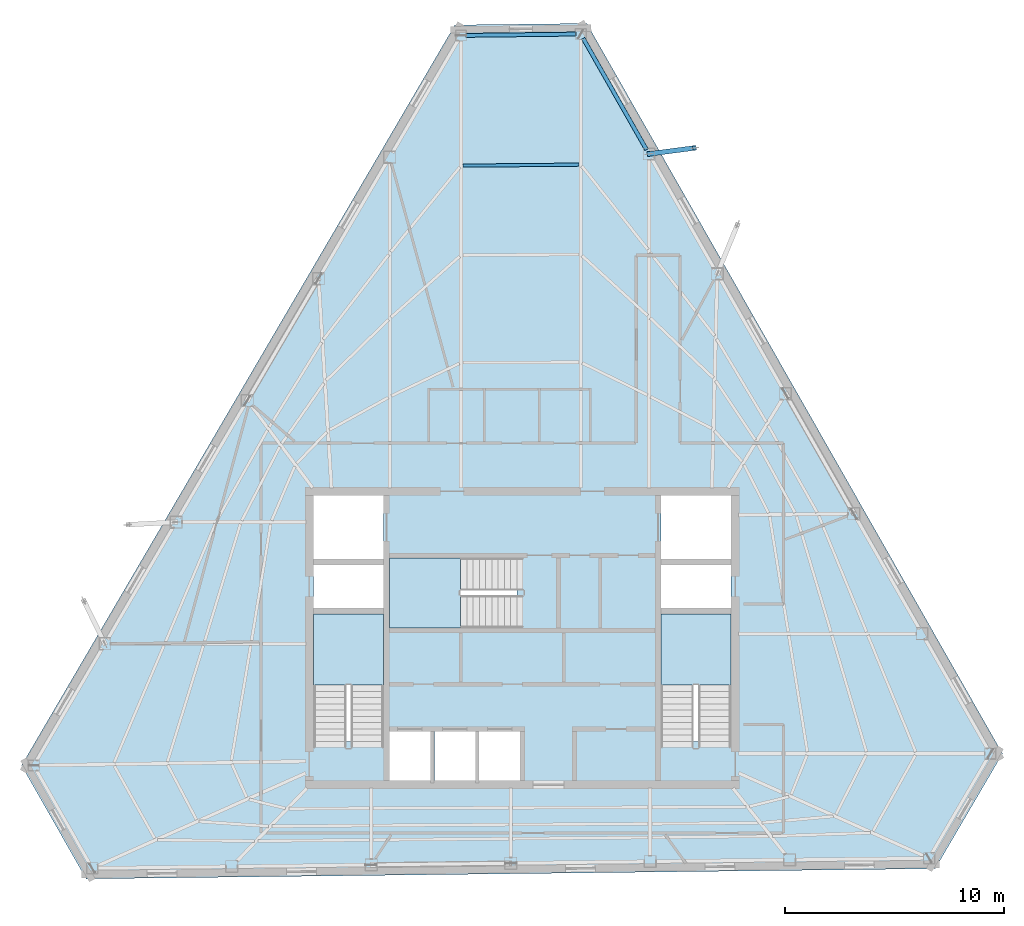
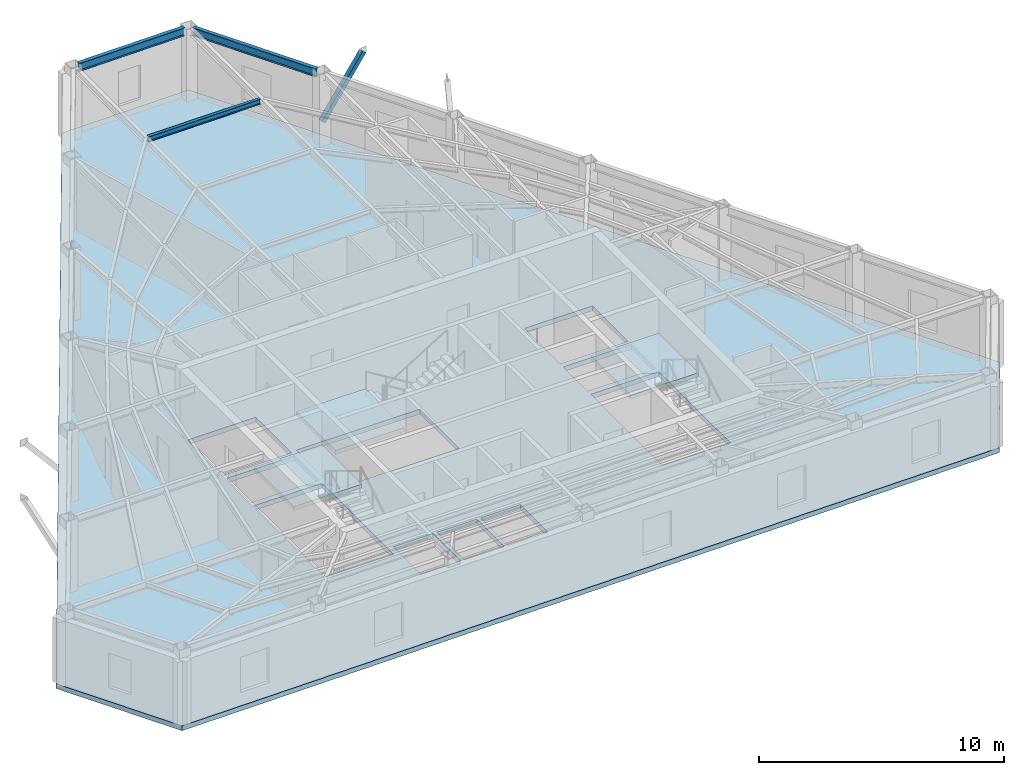
# One storey, part 3 of 10: 4 slabs, 3 beams, 1 member, 3 elements without a shape of their own.
"""IFC4 building model written with IfcOpenShell, lengths in metres."""

from ifc_helpers import new_model, si_unit, direction, frame, origin, origin_2d, place, context, subcontext, project, spatial, polyline, hollow_rectangle, i_section, outline, extrude, material, layer, layer_set, material_profile, profile_set, type_object, element, aggregate, save


model = new_model("IFC4")

# Units and contexts
model_context = context("Model", 3, precision=1e-05, world=origin(), true_north=direction((0.0, 1.0)))
body_context = subcontext(model_context, "Body", "Model", "MODEL_VIEW")
ifc_project = project(units=[si_unit("LENGTHUNIT", "METRE"), si_unit("AREAUNIT", "SQUARE_METRE"), si_unit("VOLUMEUNIT", "CUBIC_METRE"), si_unit("PLANEANGLEUNIT", "RADIAN"), si_unit("MASSUNIT", "GRAM", prefix="KILO")], contexts=[model_context])

# Site, building, storey
site_placement = place(None, origin())
site = spatial("IfcSite", under=ifc_project, at=site_placement, CompositionType="ELEMENT")
building_placement = place(site_placement, origin())
building = spatial("IfcBuilding", under=site, at=building_placement, Name="Kavelnor Concourse Tower", CompositionType="ELEMENT")
storey_placement = place(building_placement, frame((0.0, 0.0, 289.550048828125)))
storey = spatial("IfcBuildingStorey", under=building, at=storey_placement, Name="L73", CompositionType="ELEMENT", Elevation=289.550048828125)

# Beams
ifc_material_1 = material(Name="Steel Grade 350", Category="steel")
ifc_material_profile_1 = material_profile(ifc_material_1, i_section(OverallWidth=0.14599609375, OverallDepth=0.256103515625, WebThickness=0.00634765625, FlangeThickness=0.010986328125, at=origin_2d()), Name="250UB37")
ifc_profile_set_1 = profile_set([ifc_material_profile_1], Name="Steel Grade 350")
beam_type_1 = type_object("IfcBeamType", Name="BM-JOIST-250", PredefinedType="JOIST", material=ifc_profile_set_1)
beam_1_placement = place(storey_placement, frame((40.585693359375, 37.685546875, 3.48193359375), z_axis=(-0.999962850776, -0.008619574679, 0.0), x_axis=(0.008619574679, -0.999962850776, 0.0)))
element("IfcBeam", 1, at=beam_1_placement, inside=storey, type_object=beam_type_1, Name="L73 Secondary Composite Joist 16-3", PredefinedType="JOIST", context=body_context, shape_type="SweptSolid", body=[
    extrude(i_section(OverallWidth=0.14599609375, OverallDepth=0.256103515625, WebThickness=0.00634765625, FlangeThickness=0.010986328125, at=origin_2d()), origin(), (0.0, 0.0, 1.0), 5.296630859375),
])
ifc_material_profile_2 = material_profile(ifc_material_1, i_section(OverallWidth=0.177978515625, OverallDepth=0.406005859375, WebThickness=0.0078125, FlangeThickness=0.0126953125, at=origin_2d()), Name="410UB59")
ifc_profile_set_2 = profile_set([ifc_material_profile_2], Name="Steel Grade 350")
beam_type_2 = type_object("IfcBeamType", Name="BM-SPANDREL-Z4", PredefinedType="SPANDREL", material=ifc_profile_set_2)
beam_2_placement = place(storey_placement, frame((40.442626953125, 43.63818359375, 3.406982421875), z_axis=(-0.99992816203, -0.011986274625, 0.0), x_axis=(0.011986274625, -0.99992816203, 0.0)))
element("IfcBeam", 2, at=beam_2_placement, inside=storey, type_object=beam_type_2, Name="L73 Chamfer Facet Spandrel Beam C0", PredefinedType="SPANDREL", context=body_context, shape_type="SweptSolid", body=[
    extrude(i_section(OverallWidth=0.177978515625, OverallDepth=0.406005859375, WebThickness=0.0078125, FlangeThickness=0.0126953125, at=origin_2d()), origin(), (0.0, 0.0, 1.0), 5.010498046875),
])
beam_3_placement = place(storey_placement, frame((43.66943359375, 38.3681640625, 3.406982421875), z_axis=(-0.494738687324, 0.869041789136, 0.0), x_axis=(-0.869041789136, -0.494738687324, 0.0)))
element("IfcBeam", 3, at=beam_3_placement, inside=storey, type_object=beam_type_2, Name="L73 Perimeter Tube Spandrel Beam F2-B5", PredefinedType="SPANDREL", context=body_context, shape_type="SweptSolid", body=[
    extrude(i_section(OverallWidth=0.177978515625, OverallDepth=0.406005859375, WebThickness=0.0078125, FlangeThickness=0.0126953125, at=origin_2d()), origin(), (0.0, 0.0, 1.0), 5.84228515625),
])

# Member
ifc_material_profile_3 = material_profile(ifc_material_1, hollow_rectangle(XDim=0.219970703125, YDim=0.219970703125, WallThickness=0.013916015625, at=origin_2d()), Name="SHS 220x220x14")
ifc_profile_set_3 = profile_set([ifc_material_profile_3], Name="Steel Grade 350")
member_type = type_object("IfcMemberType", Name="MBR-BALC-STRUT-220", PredefinedType="STRUT", material=ifc_profile_set_3)
member_placement = place(storey_placement, frame((43.78076171875, 38.172607421875, 1.050048828125), z_axis=(0.620894279641, 0.082050397274, 0.779588369472), x_axis=(-0.131009761233, 0.991381078325, 0.0)))
element("IfcMember", 4, at=member_placement, inside=storey, type_object=member_type, Name="L73 Tree Balcony Raking Knee Strut 1-B", PredefinedType="STRUT", context=body_context, shape_type="SweptSolid", body=[
    extrude(hollow_rectangle(XDim=0.219970703125, YDim=0.219970703125, WallThickness=0.013916015625, at=origin_2d()), origin(), (0.0, 0.0, 1.0), 3.341552734375),
])

# Stair, slab
ifc_material_2 = material(Name="Concrete C40/50", Category="concrete")
stair_type = type_object("IfcStairType", Name="STR-CORE-1500", PredefinedType="HALF_TURN_STAIR", material=ifc_material_2)
stair_1_placement = place(storey_placement, origin())
stair_1 = element("IfcStair", 5, at=stair_1_placement, inside=storey, type_object=stair_type, Name="L73 ST1", PredefinedType="HALF_TURN_STAIR")
ifc_layer_1 = layer(ifc_material_2, 0.199951171875, Name="Concrete C40/50")
ifc_layer_set_1 = layer_set([ifc_layer_1], Name="Concrete C40/50")
slab_type_1 = type_object("IfcSlabType", Name="SLB-LANDING-200", PredefinedType="LANDING", material=ifc_layer_set_1)
slab_1_placement = place(storey_placement, frame((0.0, 0.0, 1.724853515625)))
slab_1 = element("IfcSlab", 6, at=slab_1_placement, type_object=slab_type_1, Name="ST1 landing 1", PredefinedType="LANDING", context=body_context, shape_type="SweptSolid", body=[
    extrude(outline(polyline([(31.679931640625, 13.949951171875), (31.679931640625, 17.199951171875), (28.47998046875, 17.199951171875), (28.47998046875, 13.949951171875), (31.679931640625, 13.949951171875)])), origin(), (0.0, 0.0, 1.0), 0.2001953125),
])
aggregate(stair_1, [slab_1])

stair_2_placement = place(storey_placement, origin())
stair_2 = element("IfcStair", 7, at=stair_2_placement, inside=storey, type_object=stair_type, Name="L73 ST2", PredefinedType="HALF_TURN_STAIR")
slab_2_placement = place(storey_placement, frame((0.0, 0.0, 1.724853515625)))
slab_2 = element("IfcSlab", 8, at=slab_2_placement, type_object=slab_type_1, Name="ST2 landing 1", PredefinedType="LANDING", context=body_context, shape_type="SweptSolid", body=[
    extrude(outline(polyline([(47.52001953125, 13.949951171875), (47.52001953125, 17.199951171875), (44.320068359375, 17.199951171875), (44.320068359375, 13.949951171875), (47.52001953125, 13.949951171875)])), origin(), (0.0, 0.0, 1.0), 0.2001953125),
])
aggregate(stair_2, [slab_2])

stair_3_placement = place(storey_placement, origin())
stair_3 = element("IfcStair", 9, at=stair_3_placement, inside=storey, type_object=stair_type, Name="L73 ST3", PredefinedType="HALF_TURN_STAIR")
slab_3_placement = place(storey_placement, frame((0.0, 0.0, 1.724853515625)))
slab_3 = element("IfcSlab", 10, at=slab_3_placement, type_object=slab_type_1, Name="ST3 landing 1", PredefinedType="LANDING", context=body_context, shape_type="SweptSolid", body=[
    extrude(outline(polyline([(35.18994140625, 19.760009765625), (31.93994140625, 19.760009765625), (31.93994140625, 16.56005859375), (35.18994140625, 16.56005859375), (35.18994140625, 19.760009765625)])), origin(), (0.0, 0.0, 1.0), 0.2001953125),
])
aggregate(stair_3, [slab_3])

# Slab
ifc_layer_2 = layer(ifc_material_2, 0.239990234375, Name="Concrete C40/50")
ifc_layer_set_2 = layer_set([ifc_layer_2], Name="Concrete C40/50")
slab_type_2 = type_object("IfcSlabType", Name="SLB-OFFICE-240", PredefinedType="FLOOR", material=ifc_layer_set_2)
slab_4_placement = place(storey_placement, frame((0.0, 0.0, -0.239990234375)))
element("IfcSlab", 11, at=slab_4_placement, inside=storey, type_object=slab_type_2, Name="L73 Composite Structural Floor Slab", PredefinedType="FLOOR", context=body_context, shape_type="SweptSolid", body=[
    extrude(outline(polyline([(40.94482421875, 44.124267578125), (34.93017578125, 44.05224609375), (15.1708984375, 10.292236328125), (18.115966796875, 5.119384765625), (56.83056640625, 5.58349609375), (59.900390625, 10.828369140625), (40.94482421875, 44.124267578125)]), holes=[polyline([(28.47998046875, 11.3798828125), (31.679931640625, 11.3798828125), (31.679931640625, 17.199951171875), (28.47998046875, 17.199951171875), (28.47998046875, 11.3798828125)]), polyline([(44.320068359375, 11.3798828125), (47.52001953125, 11.3798828125), (47.52001953125, 17.199951171875), (44.320068359375, 17.199951171875), (44.320068359375, 11.3798828125)]), polyline([(31.93994140625, 16.56005859375), (37.760009765625, 16.56005859375), (37.760009765625, 19.760009765625), (31.93994140625, 19.760009765625), (31.93994140625, 16.56005859375)]), polyline([(28.47998046875, 19.699951171875), (31.679931640625, 19.699951171875), (31.679931640625, 22.60009765625), (28.47998046875, 22.60009765625), (28.47998046875, 19.699951171875)]), polyline([(44.320068359375, 19.699951171875), (47.52001953125, 19.699951171875), (47.52001953125, 22.60009765625), (44.320068359375, 22.60009765625), (44.320068359375, 19.699951171875)]), polyline([(31.93994140625, 9.60009765625), (33.81005859375, 9.60009765625), (33.81005859375, 11.840087890625), (31.93994140625, 11.840087890625), (31.93994140625, 9.60009765625)]), polyline([(33.989990234375, 9.60009765625), (35.860107421875, 9.60009765625), (35.860107421875, 11.840087890625), (33.989990234375, 11.840087890625), (33.989990234375, 9.60009765625)]), polyline([(36.0400390625, 9.60009765625), (37.909912109375, 9.60009765625), (37.909912109375, 11.840087890625), (36.0400390625, 11.840087890625), (36.0400390625, 9.60009765625)]), polyline([(28.47998046875, 17.4599609375), (31.679931640625, 17.4599609375), (31.679931640625, 19.43994140625), (28.47998046875, 19.43994140625), (28.47998046875, 17.4599609375)]), polyline([(44.320068359375, 17.4599609375), (47.52001953125, 17.4599609375), (47.52001953125, 19.43994140625), (44.320068359375, 19.43994140625), (44.320068359375, 17.4599609375)])]), origin(), (0.0, 0.0, 1.0), 0.239990234375),
])

save(model, "model.ifc")
